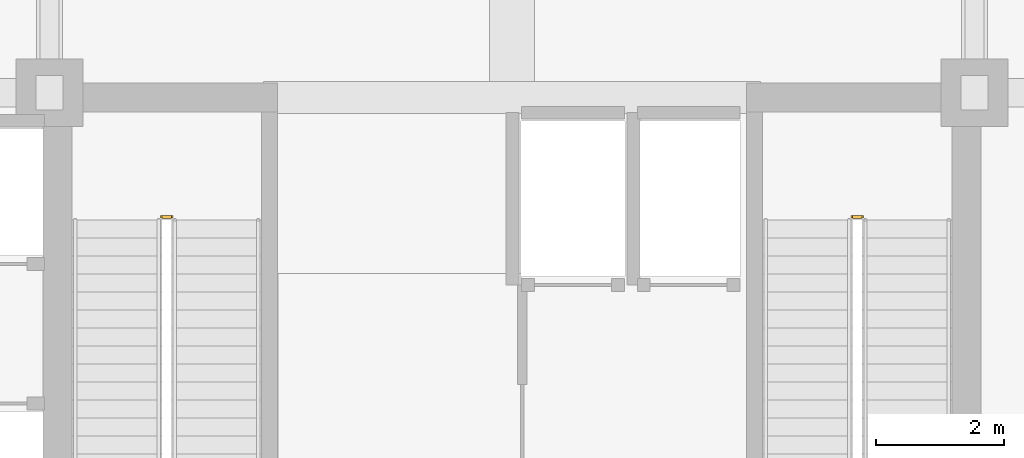
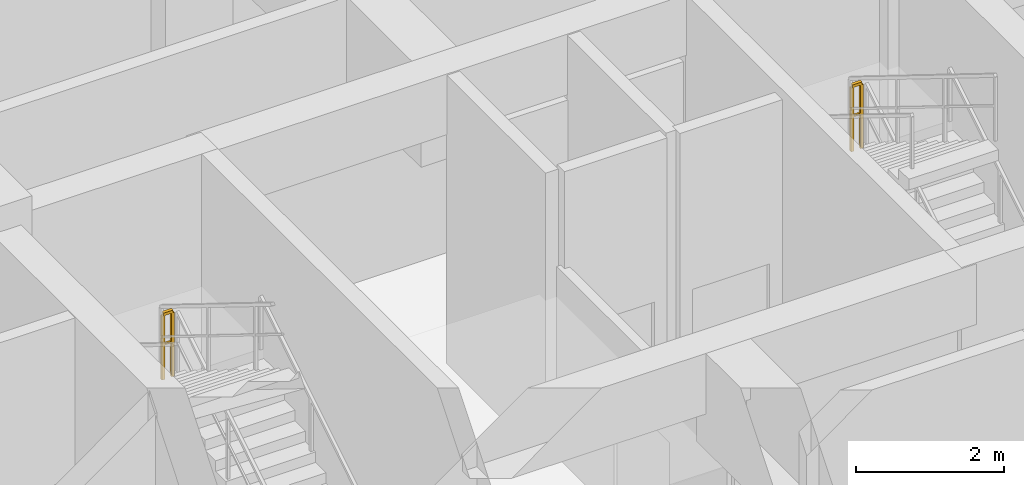
# One storey, part 9 of 10: 2 railings.
"""IFC4 building model written with IfcOpenShell, lengths in metres."""

from ifc_helpers import new_model, si_unit, direction, frame, origin, origin_2d, place, context, subcontext, project, spatial, rectangle, extrude, material, type_object, element, save


model = new_model("IFC4")

# Units and contexts
model_context = context("Model", 3, precision=1e-05, world=origin(), true_north=direction((0.0, 1.0)))
body_context = subcontext(model_context, "Body", "Model", "MODEL_VIEW")
ifc_project = project(units=[si_unit("LENGTHUNIT", "METRE"), si_unit("AREAUNIT", "SQUARE_METRE"), si_unit("VOLUMEUNIT", "CUBIC_METRE"), si_unit("PLANEANGLEUNIT", "RADIAN"), si_unit("MASSUNIT", "GRAM", prefix="KILO")], contexts=[model_context])

# Site, building, storey
site_placement = place(None, origin())
site = spatial("IfcSite", under=ifc_project, at=site_placement, CompositionType="ELEMENT")
building_placement = place(site_placement, origin())
building = spatial("IfcBuilding", under=site, at=building_placement, Name="Kaliganga Portal Commons", CompositionType="ELEMENT")
storey_placement = place(building_placement, frame((0.0, 0.0, 192.0)))
storey = spatial("IfcBuildingStorey", under=building, at=storey_placement, Name="L49", CompositionType="ELEMENT", Elevation=192.0)

# Railings
ifc_material = material(Name="Galvanized Painted Steel Balustrade", Category="steel")
railing_type = type_object("IfcRailingType", Name="RLG-STAIR-GRD", PredefinedType="GUARDRAIL", material=ifc_material)
for number, where, name in (
    (1, (16.300048828125, 34.219970703125, 2.60009765625), "L49 ST-A1 stair guard 2"),
    (2, (27.050048828125, 34.219970703125, 2.60009765625), "L49 ST-A2 stair guard 2"),
):
    element("IfcRailing", number, at=place(storey_placement, frame(where)), inside=storey, type_object=railing_type, Name=name, PredefinedType="GUARDRAIL", context=body_context, shape_type="SweptSolid", body=[
        extrude(rectangle(XDim=0.048095703125, YDim=0.048095703125, at=origin_2d()), frame((0.0, 0.0, 1.076171875), z_axis=(-1.0, 0.0, 0.0), x_axis=(0.0, -1.0, 0.0)), (0.0, 0.0, 1.0), 0.150146484375),
        extrude(rectangle(XDim=0.028076171875, YDim=0.028076171875, at=origin_2d()), frame((0.0, 0.0, 0.572021484375), z_axis=(-1.0, 0.0, 0.0), x_axis=(0.0, -1.0, 0.0)), (0.0, 0.0, 1.0), 0.150146484375),
        extrude(rectangle(XDim=0.0419921875, YDim=0.0419921875, at=origin_2d()), origin(), (0.0, 0.0, 1.0), 1.052001953125),
        extrude(rectangle(XDim=0.0419921875, YDim=0.0419921875, at=origin_2d()), frame((-0.150146484375, 0.0, 0.0)), (0.0, 0.0, 1.0), 1.052001953125),
    ])

save(model, "model.ifc")
